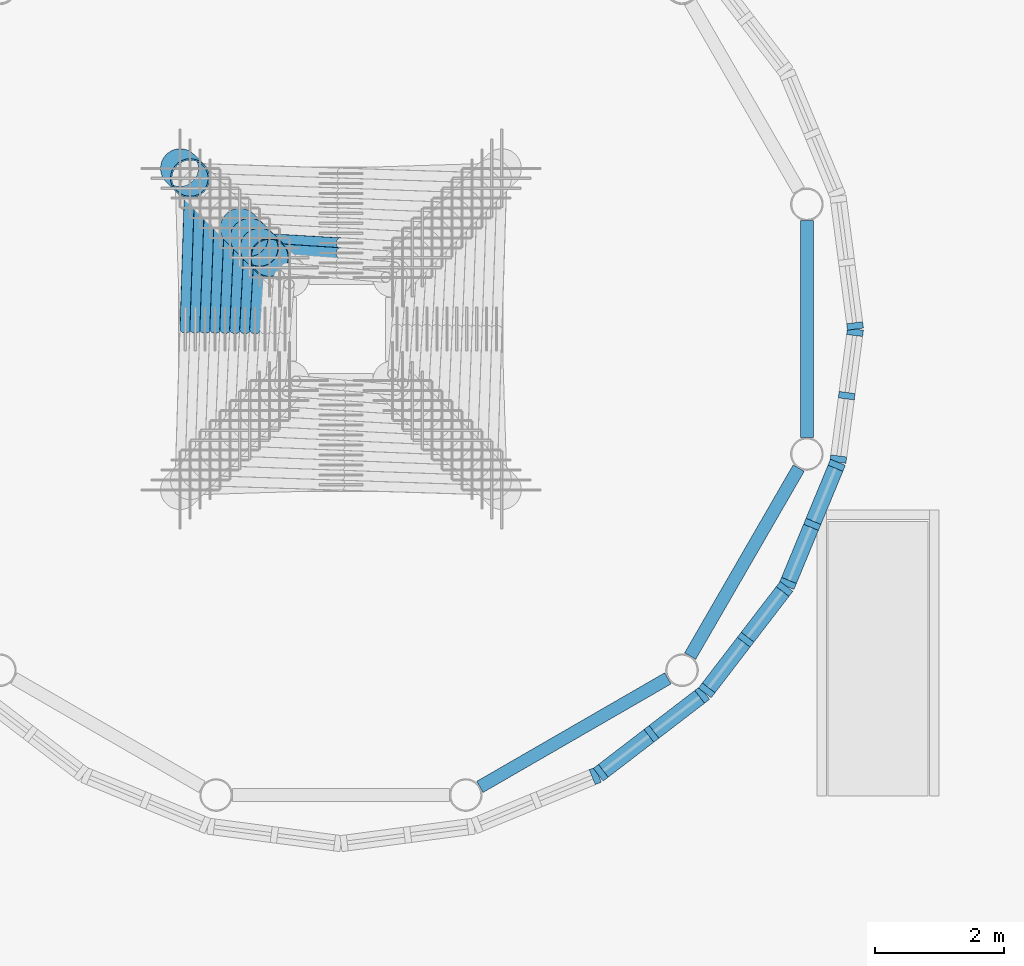
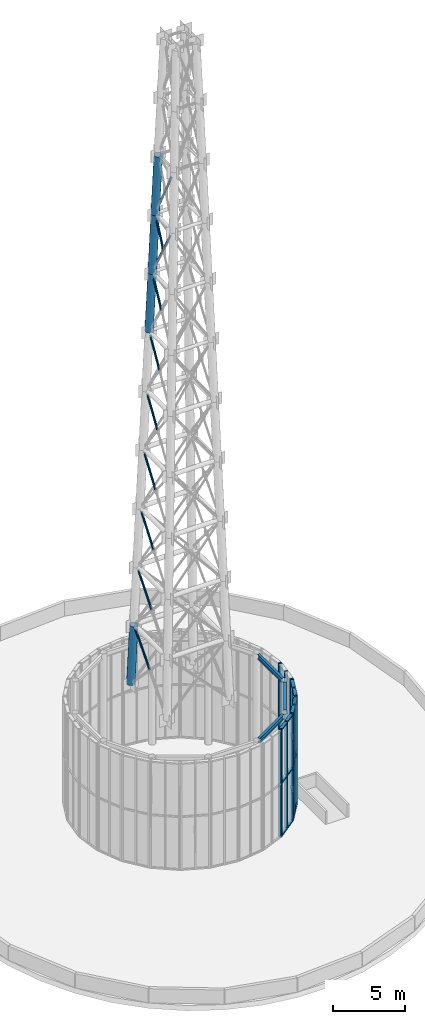
# One storey, part 5 of 11: 46 members, 3 beams, 6 elements without a shape of their own.
"""IFC4 building model written with IfcOpenShell, lengths in metres."""

from ifc_helpers import new_model, si_unit, direction, frame, origin, origin_2d, place, context, subcontext, project, spatial, rectangle, hollow_circle, i_section, extrude, material, material_profile, profile_set, type_object, element, aggregate, save


model = new_model("IFC4")

# Units and contexts
model_context = context("Model", 3, precision=1e-05, world=origin(), true_north=direction((0.0, 1.0)))
body_context = subcontext(model_context, "Body", "Model", "MODEL_VIEW")
ifc_project = project(units=[si_unit("LENGTHUNIT", "METRE"), si_unit("AREAUNIT", "SQUARE_METRE"), si_unit("VOLUMEUNIT", "CUBIC_METRE"), si_unit("PLANEANGLEUNIT", "RADIAN"), si_unit("MASSUNIT", "GRAM", prefix="KILO")], contexts=[model_context])

# Site, building, storey
site_placement = place(None, origin())
site = spatial("IfcSite", under=ifc_project, at=site_placement, CompositionType="ELEMENT")
building_placement = place(site_placement, origin())
building = spatial("IfcBuilding", under=site, at=building_placement, Name="Vermilion Reach Broadcast Tower", CompositionType="ELEMENT")
storey_placement = place(building_placement, frame((0.0, 0.0, 329.699951171875)))
storey = spatial("IfcBuildingStorey", under=building, at=storey_placement, Name="RF", CompositionType="ELEMENT", Elevation=329.699951171875)

# Beams
ifc_material_1 = material(Name="Steel S355J2", Category="steel")
ifc_material_profile_1 = material_profile(ifc_material_1, i_section(OverallWidth=0.199951171875, OverallDepth=0.39990234375, WebThickness=0.008056640625, FlangeThickness=0.012939453125, at=origin_2d()), Name="S355J2 HN 400x200x8x13")
ifc_profile_set_1 = profile_set([ifc_material_profile_1], Name="Steel S355J2")
beam_type = type_object("IfcBeamType", Name="DB1 HN 400x200x8x13", PredefinedType="BEAM", material=ifc_profile_set_1)
for number, where, z_axis, x_axis, name in (
    (1, (-3.8388671875, -7.117431640625, 8.85009765625), (0.866034971321, 0.499983428175, 0.0), (-0.499983428175, 0.866034971321, 0.0), "Plant drum ring beam DB1-10"),
    (2, (-0.569580078125, -5.083251953125, 8.85009765625), (0.499983428175, 0.866034971321, 0.0), (-0.866034971321, 0.499983428175, 0.0), "Plant drum ring beam DB1-11"),
):
    element("IfcBeam", number, at=place(storey_placement, frame(where, z_axis=z_axis, x_axis=x_axis)), inside=storey, type_object=beam_type, Name=name, PredefinedType="BEAM", context=body_context, shape_type="SweptSolid", body=[
        extrude(i_section(OverallWidth=0.199951171875, OverallDepth=0.39990234375, WebThickness=0.008056640625, FlangeThickness=0.012939453125, at=origin_2d()), origin(), (0.0, 0.0, 1.0), 3.3740234375),
    ])
beam_placement = place(storey_placement, frame((1.244384765625, -1.687255859375, 8.85009765625), z_axis=(0.0, 1.0, 0.0), x_axis=(-1.0, 0.0, 0.0)))
element("IfcBeam", 3, at=beam_placement, inside=storey, type_object=beam_type, Name="Plant drum ring beam DB1-12", PredefinedType="BEAM", context=body_context, shape_type="SweptSolid", body=[
    extrude(i_section(OverallWidth=0.199951171875, OverallDepth=0.39990234375, WebThickness=0.008056640625, FlangeThickness=0.012939453125, at=origin_2d()), origin(), (0.0, 0.0, 1.0), 3.37451171875),
])

# Curtain wall, member
ifc_material_2 = material(Name="Low-e laminated clear glass in aluminium frame", Category="aluminium")
curtain_wall_type = type_object("IfcCurtainWallType", Name="Drum louvre curtain wall", PredefinedType="NOTDEFINED", material=ifc_material_2)
placement = place(storey_placement, origin())
curtain_wall_1 = element("IfcCurtainWall", 4, at=placement, inside=storey, type_object=curtain_wall_type, Name="Drum louvre wall RF 01", PredefinedType="NOTDEFINED")
ifc_material_3 = material(Name="Anodised aluminium", Category="aluminium")
ifc_material_profile_2 = material_profile(ifc_material_3, rectangle(XDim=0.25, YDim=0.10009765625, at=origin_2d()), Name="Drum louvre mullion 100 x 250")
ifc_profile_set_2 = profile_set([ifc_material_profile_2], Name="Anodised aluminium")
member_type_1 = type_object("IfcMemberType", Name="Drum louvre mullion 100 x 250", PredefinedType="MULLION", material=ifc_profile_set_2)
member_1_placement = place(storey_placement, frame((1.993408203125, 0.049560546875, 0.0), z_axis=(0.0, 0.0, 1.0), x_axis=(-0.991444861374, -0.13052619222, 0.0)))
member_1 = element("IfcMember", 5, at=member_1_placement, type_object=member_type_1, Name="Drum louvre wall mullion RF 01.1", PredefinedType="MULLION", context=body_context, shape_type="SweptSolid", body=[
    extrude(rectangle(XDim=0.25, YDim=0.10009765625, at=origin_2d()), origin(), (0.0, 0.0, 1.0), 9.050048828125),
])
aggregate(curtain_wall_1, [member_1])

curtain_wall_2 = element("IfcCurtainWall", 6, at=placement, inside=storey, type_object=curtain_wall_type, Name="Drum louvre wall RF 20", PredefinedType="NOTDEFINED")
member_2_placement = place(storey_placement, frame((-2.046142578125, -6.947265625, 0.0), z_axis=(0.0, 0.0, 1.0), x_axis=(-0.382683432365, 0.923879532511, 0.0)))
member_2 = element("IfcMember", 7, at=member_2_placement, type_object=member_type_1, Name="Drum louvre wall mullion RF 20.3", PredefinedType="MULLION", context=body_context, shape_type="SweptSolid", body=[
    extrude(rectangle(XDim=0.25, YDim=0.10009765625, at=origin_2d()), origin(), (0.0, 0.0, 1.0), 9.050048828125),
])
aggregate(curtain_wall_2, [member_2])

# Curtain wall, members
curtain_wall_3 = element("IfcCurtainWall", 8, at=placement, inside=storey, type_object=curtain_wall_type, Name="Drum louvre wall RF 21", PredefinedType="NOTDEFINED")
member_3_placement = place(storey_placement, frame((-1.96044921875, -6.897705078125, 0.0), z_axis=(0.0, 0.0, 1.0), x_axis=(-0.608761429009, 0.793353340291, 0.0)))
member_3 = element("IfcMember", 9, at=member_3_placement, type_object=member_type_1, Name="Drum louvre wall mullion RF 21.1", PredefinedType="MULLION", context=body_context, shape_type="SweptSolid", body=[
    extrude(rectangle(XDim=0.25, YDim=0.10009765625, at=origin_2d()), origin(), (0.0, 0.0, 1.0), 9.050048828125),
])
member_4_placement = place(storey_placement, frame((-1.171630859375, -6.29248046875, 0.0), z_axis=(0.0, 0.0, 1.0), x_axis=(-0.608761429009, 0.793353340291, 0.0)))
member_4 = element("IfcMember", 10, at=member_4_placement, type_object=member_type_1, Name="Drum louvre wall mullion RF 21.2", PredefinedType="MULLION", context=body_context, shape_type="SweptSolid", body=[
    extrude(rectangle(XDim=0.25, YDim=0.10009765625, at=origin_2d()), origin(), (0.0, 0.0, 1.0), 9.050048828125),
])
member_5_placement = place(storey_placement, frame((-0.3828125, -5.687255859375, 0.0), z_axis=(0.0, 0.0, 1.0), x_axis=(-0.608761429009, 0.793353340291, 0.0)))
member_5 = element("IfcMember", 11, at=member_5_placement, type_object=member_type_1, Name="Drum louvre wall mullion RF 21.3", PredefinedType="MULLION", context=body_context, shape_type="SweptSolid", body=[
    extrude(rectangle(XDim=0.25, YDim=0.10009765625, at=origin_2d()), origin(), (0.0, 0.0, 1.0), 9.050048828125),
])

curtain_wall_4 = element("IfcCurtainWall", 12, at=placement, inside=storey, type_object=curtain_wall_type, Name="Drum louvre wall RF 22", PredefinedType="NOTDEFINED")
member_6_placement = place(storey_placement, frame((-0.312744140625, -5.6171875, 0.0), z_axis=(0.0, 0.0, 1.0), x_axis=(-0.793353340291, 0.608761429009, 0.0)))
member_6 = element("IfcMember", 13, at=member_6_placement, type_object=member_type_1, Name="Drum louvre wall mullion RF 22.1", PredefinedType="MULLION", context=body_context, shape_type="SweptSolid", body=[
    extrude(rectangle(XDim=0.25, YDim=0.10009765625, at=origin_2d()), origin(), (0.0, 0.0, 1.0), 9.050048828125),
])
member_7_placement = place(storey_placement, frame((0.29248046875, -4.828369140625, 0.0), z_axis=(0.0, 0.0, 1.0), x_axis=(-0.793353340291, 0.608761429009, 0.0)))
member_7 = element("IfcMember", 14, at=member_7_placement, type_object=member_type_1, Name="Drum louvre wall mullion RF 22.2", PredefinedType="MULLION", context=body_context, shape_type="SweptSolid", body=[
    extrude(rectangle(XDim=0.25, YDim=0.10009765625, at=origin_2d()), origin(), (0.0, 0.0, 1.0), 9.050048828125),
])
member_8_placement = place(storey_placement, frame((0.897705078125, -4.03955078125, 0.0), z_axis=(0.0, 0.0, 1.0), x_axis=(-0.793353340291, 0.608761429009, 0.0)))
member_8 = element("IfcMember", 15, at=member_8_placement, type_object=member_type_1, Name="Drum louvre wall mullion RF 22.3", PredefinedType="MULLION", context=body_context, shape_type="SweptSolid", body=[
    extrude(rectangle(XDim=0.25, YDim=0.10009765625, at=origin_2d()), origin(), (0.0, 0.0, 1.0), 9.050048828125),
])

curtain_wall_5 = element("IfcCurtainWall", 16, at=placement, inside=storey, type_object=curtain_wall_type, Name="Drum louvre wall RF 23", PredefinedType="NOTDEFINED")
member_9_placement = place(storey_placement, frame((0.947265625, -3.953857421875, 0.0), z_axis=(0.0, 0.0, 1.0), x_axis=(-0.923879532511, 0.382683432365, 0.0)))
member_9 = element("IfcMember", 17, at=member_9_placement, type_object=member_type_1, Name="Drum louvre wall mullion RF 23.1", PredefinedType="MULLION", context=body_context, shape_type="SweptSolid", body=[
    extrude(rectangle(XDim=0.25, YDim=0.10009765625, at=origin_2d()), origin(), (0.0, 0.0, 1.0), 9.050048828125),
])
member_10_placement = place(storey_placement, frame((1.327880859375, -3.03515625, 0.0), z_axis=(0.0, 0.0, 1.0), x_axis=(-0.923879532511, 0.382683432365, 0.0)))
member_10 = element("IfcMember", 18, at=member_10_placement, type_object=member_type_1, Name="Drum louvre wall mullion RF 23.2", PredefinedType="MULLION", context=body_context, shape_type="SweptSolid", body=[
    extrude(rectangle(XDim=0.25, YDim=0.10009765625, at=origin_2d()), origin(), (0.0, 0.0, 1.0), 9.050048828125),
])
member_11_placement = place(storey_placement, frame((1.708251953125, -2.11669921875, 0.0), z_axis=(0.0, 0.0, 1.0), x_axis=(-0.923879532511, 0.382683432365, 0.0)))
member_11 = element("IfcMember", 19, at=member_11_placement, type_object=member_type_1, Name="Drum louvre wall mullion RF 23.3", PredefinedType="MULLION", context=body_context, shape_type="SweptSolid", body=[
    extrude(rectangle(XDim=0.25, YDim=0.10009765625, at=origin_2d()), origin(), (0.0, 0.0, 1.0), 9.050048828125),
])

curtain_wall_6 = element("IfcCurtainWall", 20, at=placement, inside=storey, type_object=curtain_wall_type, Name="Drum louvre wall RF 24", PredefinedType="NOTDEFINED")
member_12_placement = place(storey_placement, frame((1.73388671875, -2.02099609375, 0.0), z_axis=(0.0, 0.0, 1.0), x_axis=(-0.991444861374, 0.13052619222, 0.0)))
member_12 = element("IfcMember", 21, at=member_12_placement, type_object=member_type_1, Name="Drum louvre wall mullion RF 24.1", PredefinedType="MULLION", context=body_context, shape_type="SweptSolid", body=[
    extrude(rectangle(XDim=0.25, YDim=0.10009765625, at=origin_2d()), origin(), (0.0, 0.0, 1.0), 9.050048828125),
])
member_13_placement = place(storey_placement, frame((1.86376953125, -1.03515625, 0.0), z_axis=(0.0, 0.0, 1.0), x_axis=(-0.991444861374, 0.13052619222, 0.0)))
member_13 = element("IfcMember", 22, at=member_13_placement, type_object=member_type_1, Name="Drum louvre wall mullion RF 24.2", PredefinedType="MULLION", context=body_context, shape_type="SweptSolid", body=[
    extrude(rectangle(XDim=0.25, YDim=0.10009765625, at=origin_2d()), origin(), (0.0, 0.0, 1.0), 9.050048828125),
])
member_14_placement = place(storey_placement, frame((1.993408203125, -0.049560546875, 0.0), z_axis=(0.0, 0.0, 1.0), x_axis=(-0.991444861374, 0.13052619222, 0.0)))
member_14 = element("IfcMember", 23, at=member_14_placement, type_object=member_type_1, Name="Drum louvre wall mullion RF 24.3", PredefinedType="MULLION", context=body_context, shape_type="SweptSolid", body=[
    extrude(rectangle(XDim=0.25, YDim=0.10009765625, at=origin_2d()), origin(), (0.0, 0.0, 1.0), 9.050048828125),
])
aggregate(curtain_wall_6, [member_12, member_13, member_14])

# Member
ifc_material_4 = material(Name="Anodised aluminium", Category="aluminium")
ifc_material_profile_3 = material_profile(ifc_material_4, rectangle(XDim=0.25, YDim=0.10009765625, at=origin_2d()), Name="Drum louvre transom 250 x 100")
ifc_profile_set_3 = profile_set([ifc_material_profile_3], Name="Anodised aluminium")
member_type_2 = type_object("IfcMemberType", Name="Drum louvre transom 250 x 100", PredefinedType="USERDEFINED", material=ifc_profile_set_3)
member_15_placement = place(storey_placement, frame((-1.920654296875, -6.867431640625, 0.050048828125), z_axis=(0.793333856292, 0.60878682021, 0.0), x_axis=(-0.60878682021, 0.793333856292, 0.0)))
member_15 = element("IfcMember", 24, at=member_15_placement, type_object=member_type_2, Name="Drum louvre wall transom RF 21.1.1", ObjectType="TRANSOM", PredefinedType="USERDEFINED", context=body_context, shape_type="SweptSolid", body=[
    extrude(rectangle(XDim=0.25, YDim=0.10009765625, at=origin_2d()), origin(), (0.0, 0.0, 1.0), 0.894287109375),
])

member_16_placement = place(storey_placement, frame((-1.920654296875, -6.867431640625, 4.5), z_axis=(0.793333856292, 0.60878682021, 0.0), x_axis=(-0.60878682021, 0.793333856292, 0.0)))
member_16 = element("IfcMember", 25, at=member_16_placement, type_object=member_type_2, Name="Drum louvre wall transom RF 21.1.2", ObjectType="TRANSOM", PredefinedType="USERDEFINED", context=body_context, shape_type="SweptSolid", body=[
    extrude(rectangle(XDim=0.25, YDim=0.10009765625, at=origin_2d()), origin(), (0.0, 0.0, 1.0), 0.894287109375),
])

member_17_placement = place(storey_placement, frame((-1.920654296875, -6.867431640625, 9.0), z_axis=(0.793333856292, 0.60878682021, 0.0), x_axis=(-0.60878682021, 0.793333856292, 0.0)))
member_17 = element("IfcMember", 26, at=member_17_placement, type_object=member_type_2, Name="Drum louvre wall transom RF 21.1.3", ObjectType="TRANSOM", PredefinedType="USERDEFINED", context=body_context, shape_type="SweptSolid", body=[
    extrude(rectangle(XDim=0.25, YDim=0.10009765625, at=origin_2d()), origin(), (0.0, 0.0, 1.0), 0.894287109375),
])

member_18_placement = place(storey_placement, frame((-1.1318359375, -6.26220703125, 0.050048828125), z_axis=(0.793333856292, 0.60878682021, 0.0), x_axis=(-0.60878682021, 0.793333856292, 0.0)))
member_18 = element("IfcMember", 27, at=member_18_placement, type_object=member_type_2, Name="Drum louvre wall transom RF 21.2.1", ObjectType="TRANSOM", PredefinedType="USERDEFINED", context=body_context, shape_type="SweptSolid", body=[
    extrude(rectangle(XDim=0.25, YDim=0.10009765625, at=origin_2d()), origin(), (0.0, 0.0, 1.0), 0.894287109375),
])

member_19_placement = place(storey_placement, frame((-1.1318359375, -6.26220703125, 4.5), z_axis=(0.793333856292, 0.60878682021, 0.0), x_axis=(-0.60878682021, 0.793333856292, 0.0)))
member_19 = element("IfcMember", 28, at=member_19_placement, type_object=member_type_2, Name="Drum louvre wall transom RF 21.2.2", ObjectType="TRANSOM", PredefinedType="USERDEFINED", context=body_context, shape_type="SweptSolid", body=[
    extrude(rectangle(XDim=0.25, YDim=0.10009765625, at=origin_2d()), origin(), (0.0, 0.0, 1.0), 0.894287109375),
])

member_20_placement = place(storey_placement, frame((-1.1318359375, -6.26220703125, 9.0), z_axis=(0.793333856292, 0.60878682021, 0.0), x_axis=(-0.60878682021, 0.793333856292, 0.0)))
member_20 = element("IfcMember", 29, at=member_20_placement, type_object=member_type_2, Name="Drum louvre wall transom RF 21.2.3", ObjectType="TRANSOM", PredefinedType="USERDEFINED", context=body_context, shape_type="SweptSolid", body=[
    extrude(rectangle(XDim=0.25, YDim=0.10009765625, at=origin_2d()), origin(), (0.0, 0.0, 1.0), 0.894287109375),
])

aggregate(curtain_wall_3, [member_3, member_4, member_5, member_15, member_16, member_17, member_18, member_19, member_20])

member_21_placement = place(storey_placement, frame((-0.2822265625, -5.57763671875, 0.050048828125), z_axis=(0.60878682021, 0.793333856292, 0.0), x_axis=(-0.793333856292, 0.60878682021, 0.0)))
member_21 = element("IfcMember", 30, at=member_21_placement, type_object=member_type_2, Name="Drum louvre wall transom RF 22.1.1", ObjectType="TRANSOM", PredefinedType="USERDEFINED", context=body_context, shape_type="SweptSolid", body=[
    extrude(rectangle(XDim=0.25, YDim=0.10009765625, at=origin_2d()), origin(), (0.0, 0.0, 1.0), 0.894287109375),
])

member_22_placement = place(storey_placement, frame((-0.2822265625, -5.57763671875, 4.5), z_axis=(0.60878682021, 0.793333856292, 0.0), x_axis=(-0.793333856292, 0.60878682021, 0.0)))
member_22 = element("IfcMember", 31, at=member_22_placement, type_object=member_type_2, Name="Drum louvre wall transom RF 22.1.2", ObjectType="TRANSOM", PredefinedType="USERDEFINED", context=body_context, shape_type="SweptSolid", body=[
    extrude(rectangle(XDim=0.25, YDim=0.10009765625, at=origin_2d()), origin(), (0.0, 0.0, 1.0), 0.894287109375),
])

member_23_placement = place(storey_placement, frame((-0.2822265625, -5.57763671875, 9.0), z_axis=(0.60878682021, 0.793333856292, 0.0), x_axis=(-0.793333856292, 0.60878682021, 0.0)))
member_23 = element("IfcMember", 32, at=member_23_placement, type_object=member_type_2, Name="Drum louvre wall transom RF 22.1.3", ObjectType="TRANSOM", PredefinedType="USERDEFINED", context=body_context, shape_type="SweptSolid", body=[
    extrude(rectangle(XDim=0.25, YDim=0.10009765625, at=origin_2d()), origin(), (0.0, 0.0, 1.0), 0.894287109375),
])

member_24_placement = place(storey_placement, frame((0.322998046875, -4.788818359375, 0.050048828125), z_axis=(0.60878682021, 0.793333856292, 0.0), x_axis=(-0.793333856292, 0.60878682021, 0.0)))
member_24 = element("IfcMember", 33, at=member_24_placement, type_object=member_type_2, Name="Drum louvre wall transom RF 22.2.1", ObjectType="TRANSOM", PredefinedType="USERDEFINED", context=body_context, shape_type="SweptSolid", body=[
    extrude(rectangle(XDim=0.25, YDim=0.10009765625, at=origin_2d()), origin(), (0.0, 0.0, 1.0), 0.894287109375),
])

member_25_placement = place(storey_placement, frame((0.322998046875, -4.788818359375, 4.5), z_axis=(0.60878682021, 0.793333856292, 0.0), x_axis=(-0.793333856292, 0.60878682021, 0.0)))
member_25 = element("IfcMember", 34, at=member_25_placement, type_object=member_type_2, Name="Drum louvre wall transom RF 22.2.2", ObjectType="TRANSOM", PredefinedType="USERDEFINED", context=body_context, shape_type="SweptSolid", body=[
    extrude(rectangle(XDim=0.25, YDim=0.10009765625, at=origin_2d()), origin(), (0.0, 0.0, 1.0), 0.894287109375),
])

member_26_placement = place(storey_placement, frame((0.322998046875, -4.788818359375, 9.0), z_axis=(0.60878682021, 0.793333856292, 0.0), x_axis=(-0.793333856292, 0.60878682021, 0.0)))
member_26 = element("IfcMember", 35, at=member_26_placement, type_object=member_type_2, Name="Drum louvre wall transom RF 22.2.3", ObjectType="TRANSOM", PredefinedType="USERDEFINED", context=body_context, shape_type="SweptSolid", body=[
    extrude(rectangle(XDim=0.25, YDim=0.10009765625, at=origin_2d()), origin(), (0.0, 0.0, 1.0), 0.894287109375),
])

aggregate(curtain_wall_4, [member_6, member_7, member_8, member_21, member_22, member_23, member_24, member_25, member_26])

member_27_placement = place(storey_placement, frame((0.966552734375, -3.90771484375, 0.050048828125), z_axis=(0.382520596183, 0.923946964655, 0.0), x_axis=(-0.923946964655, 0.382520596183, 0.0)))
member_27 = element("IfcMember", 36, at=member_27_placement, type_object=member_type_2, Name="Drum louvre wall transom RF 23.1.1", ObjectType="TRANSOM", PredefinedType="USERDEFINED", context=body_context, shape_type="SweptSolid", body=[
    extrude(rectangle(XDim=0.25, YDim=0.10009765625, at=origin_2d()), origin(), (0.0, 0.0, 1.0), 0.894287109375),
])

member_28_placement = place(storey_placement, frame((0.966552734375, -3.90771484375, 4.5), z_axis=(0.382520596183, 0.923946964655, 0.0), x_axis=(-0.923946964655, 0.382520596183, 0.0)))
member_28 = element("IfcMember", 37, at=member_28_placement, type_object=member_type_2, Name="Drum louvre wall transom RF 23.1.2", ObjectType="TRANSOM", PredefinedType="USERDEFINED", context=body_context, shape_type="SweptSolid", body=[
    extrude(rectangle(XDim=0.25, YDim=0.10009765625, at=origin_2d()), origin(), (0.0, 0.0, 1.0), 0.894287109375),
])

member_29_placement = place(storey_placement, frame((0.966552734375, -3.90771484375, 9.0), z_axis=(0.382520596183, 0.923946964655, 0.0), x_axis=(-0.923946964655, 0.382520596183, 0.0)))
member_29 = element("IfcMember", 38, at=member_29_placement, type_object=member_type_2, Name="Drum louvre wall transom RF 23.1.3", ObjectType="TRANSOM", PredefinedType="USERDEFINED", context=body_context, shape_type="SweptSolid", body=[
    extrude(rectangle(XDim=0.25, YDim=0.10009765625, at=origin_2d()), origin(), (0.0, 0.0, 1.0), 0.894287109375),
])

member_30_placement = place(storey_placement, frame((1.346923828125, -2.989013671875, 0.050048828125), z_axis=(0.382753642759, 0.923850447288, 0.0), x_axis=(-0.923850447288, 0.382753642759, 0.0)))
member_30 = element("IfcMember", 39, at=member_30_placement, type_object=member_type_2, Name="Drum louvre wall transom RF 23.2.1", ObjectType="TRANSOM", PredefinedType="USERDEFINED", context=body_context, shape_type="SweptSolid", body=[
    extrude(rectangle(XDim=0.25, YDim=0.10009765625, at=origin_2d()), origin(), (0.0, 0.0, 1.0), 0.894287109375),
])

member_31_placement = place(storey_placement, frame((1.346923828125, -2.989013671875, 4.5), z_axis=(0.382753642759, 0.923850447288, 0.0), x_axis=(-0.923850447288, 0.382753642759, 0.0)))
member_31 = element("IfcMember", 40, at=member_31_placement, type_object=member_type_2, Name="Drum louvre wall transom RF 23.2.2", ObjectType="TRANSOM", PredefinedType="USERDEFINED", context=body_context, shape_type="SweptSolid", body=[
    extrude(rectangle(XDim=0.25, YDim=0.10009765625, at=origin_2d()), origin(), (0.0, 0.0, 1.0), 0.894287109375),
])

member_32_placement = place(storey_placement, frame((1.346923828125, -2.989013671875, 9.0), z_axis=(0.382753642759, 0.923850447288, 0.0), x_axis=(-0.923850447288, 0.382753642759, 0.0)))
member_32 = element("IfcMember", 41, at=member_32_placement, type_object=member_type_2, Name="Drum louvre wall transom RF 23.2.3", ObjectType="TRANSOM", PredefinedType="USERDEFINED", context=body_context, shape_type="SweptSolid", body=[
    extrude(rectangle(XDim=0.25, YDim=0.10009765625, at=origin_2d()), origin(), (0.0, 0.0, 1.0), 0.894287109375),
])

aggregate(curtain_wall_5, [member_9, member_10, member_11, member_27, member_28, member_29, member_30, member_31, member_32])

# Members
ifc_material_5 = material(Name="Steel S355J2H", Category="steel")
ifc_material_profile_4 = material_profile(ifc_material_5, hollow_circle(Radius=0.084228515625, WallThickness=0.008056640625, at=origin_2d()), Name="S355J2H CHS 168x8")
ifc_profile_set_4 = profile_set([ifc_material_profile_4], Name="Steel S355J2H")
member_type_3 = type_object("IfcMemberType", Name="MBR CHS 168x8", PredefinedType="BRACE", material=ifc_profile_set_4)
member_33_placement = place(storey_placement, frame((-8.420166015625, 0.0, 12.079833984375), z_axis=(0.022136242917, 0.695778743189, 0.717914986106), x_axis=(-0.999494284838, 0.031798971296, 0.0)))
element("IfcMember", 42, at=member_33_placement, inside=storey, type_object=member_type_3, Name="Mast brace panel 1", PredefinedType="BRACE", context=body_context, shape_type="SweptSolid", body=[
    extrude(hollow_circle(Radius=0.084228515625, WallThickness=0.008056640625, at=origin_2d()), origin(), (0.0, 0.0, 1.0), 3.066162109375),
])
member_34_placement = place(storey_placement, frame((-8.265625, 0.0, 17.085205078125), z_axis=(0.022874281268, 0.671777177322, 0.740400021127), x_axis=(-0.999420788764, 0.034030677134, 0.0)))
element("IfcMember", 43, at=member_34_placement, inside=storey, type_object=member_type_3, Name="Mast brace panel 2", PredefinedType="BRACE", context=body_context, shape_type="SweptSolid", body=[
    extrude(hollow_circle(Radius=0.084228515625, WallThickness=0.008056640625, at=origin_2d()), origin(), (0.0, 0.0, 1.0), 2.95654296875),
])
member_35_placement = place(storey_placement, frame((-8.11083984375, 0.0, 22.091552734375), z_axis=(0.023644360041, 0.645508162712, 0.763387291033), x_axis=(-0.999329830116, 0.03660451667, 0.0)))
element("IfcMember", 44, at=member_35_placement, inside=storey, type_object=member_type_3, Name="Mast brace panel 3", PredefinedType="BRACE", context=body_context, shape_type="SweptSolid", body=[
    extrude(hollow_circle(Radius=0.084228515625, WallThickness=0.008056640625, at=origin_2d()), origin(), (0.0, 0.0, 1.0), 2.849853515625),
])
member_36_placement = place(storey_placement, frame((-7.9560546875, 0.0, 27.0986328125), z_axis=(0.024353243827, 0.616652575441, 0.786858640873), x_axis=(-0.99922107636, 0.03946188742, 0.0)))
element("IfcMember", 45, at=member_36_placement, inside=storey, type_object=member_type_3, Name="Mast brace panel 4", PredefinedType="BRACE", context=body_context, shape_type="SweptSolid", body=[
    extrude(hollow_circle(Radius=0.084228515625, WallThickness=0.008056640625, at=origin_2d()), origin(), (0.0, 0.0, 1.0), 2.746826171875),
])
member_37_placement = place(storey_placement, frame((-7.80126953125, 0.0, 32.107177734375), z_axis=(0.025085714748, 0.585087405747, 0.810582157805), x_axis=(-0.999082125717, 0.042835803625, 0.0)))
element("IfcMember", 46, at=member_37_placement, inside=storey, type_object=member_type_3, Name="Mast brace panel 5", PredefinedType="BRACE", context=body_context, shape_type="SweptSolid", body=[
    extrude(hollow_circle(Radius=0.084228515625, WallThickness=0.008056640625, at=origin_2d()), origin(), (0.0, 0.0, 1.0), 2.647216796875),
])
member_38_placement = place(storey_placement, frame((-7.646484375, 0.0, 37.1171875), z_axis=(0.025839398173, 0.550666285519, 0.834325456579), x_axis=(-0.998900889513, 0.046872304513, 0.0)))
element("IfcMember", 47, at=member_38_placement, inside=storey, type_object=member_type_3, Name="Mast brace panel 6", PredefinedType="BRACE", context=body_context, shape_type="SweptSolid", body=[
    extrude(hollow_circle(Radius=0.084228515625, WallThickness=0.008056640625, at=origin_2d()), origin(), (0.0, 0.0, 1.0), 2.551025390625),
])
member_39_placement = place(storey_placement, frame((-7.491455078125, 0.0, 42.129150390625), z_axis=(0.026513492734, 0.513190001673, 0.857865407209), x_axis=(-0.998668076836, 0.051595274093, 0.0)))
element("IfcMember", 48, at=member_39_placement, inside=storey, type_object=member_type_3, Name="Mast brace panel 7", PredefinedType="BRACE", context=body_context, shape_type="SweptSolid", body=[
    extrude(hollow_circle(Radius=0.084228515625, WallThickness=0.008056640625, at=origin_2d()), origin(), (0.0, 0.0, 1.0), 2.45849609375),
])
member_40_placement = place(storey_placement, frame((-7.274169921875, 1.409912109375, 44.768798828125), z_axis=(0.472540913647, -0.027253269785, 0.880887248299), x_axis=(0.057578202863, 0.998340999136, 0.0)))
element("IfcMember", 49, at=member_40_placement, inside=storey, type_object=member_type_3, Name="Mast brace panel 8", PredefinedType="BRACE", context=body_context, shape_type="SweptSolid", body=[
    extrude(hollow_circle(Radius=0.084228515625, WallThickness=0.008056640625, at=origin_2d()), origin(), (0.0, 0.0, 1.0), 2.696533203125),
])
member_41_placement = place(storey_placement, frame((-7.33642578125, 0.0, 47.14404296875), z_axis=(0.027200080882, 0.472498374716, 0.880911710384), x_axis=(-0.998347155541, 0.057471358278, 0.0)))
element("IfcMember", 50, at=member_41_placement, inside=storey, type_object=member_type_3, Name="Mast brace panel 8", PredefinedType="BRACE", context=body_context, shape_type="SweptSolid", body=[
    extrude(hollow_circle(Radius=0.084228515625, WallThickness=0.008056640625, at=origin_2d()), origin(), (0.0, 0.0, 1.0), 2.36962890625),
])
member_42_placement = place(storey_placement, frame((-7.1328125, 1.255126953125, 49.775390625), z_axis=(0.428511234295, -0.027890170853, 0.903105896588), x_axis=(0.064948783797, 0.997888598734, 0.0)))
element("IfcMember", 51, at=member_42_placement, inside=storey, type_object=member_type_3, Name="Mast brace panel 9", PredefinedType="BRACE", context=body_context, shape_type="SweptSolid", body=[
    extrude(hollow_circle(Radius=0.084228515625, WallThickness=0.008056640625, at=origin_2d()), origin(), (0.0, 0.0, 1.0), 2.6435546875),
])
ifc_material_6 = material(Name="Steel S355J2H", Category="steel")
ifc_material_profile_5 = material_profile(ifc_material_6, hollow_circle(Radius=0.304931640625, WallThickness=0.02490234375, at=origin_2d()), Name="S355J2H CHS 610x25")
ifc_profile_set_5 = profile_set([ifc_material_profile_5], Name="Steel S355J2H")
member_type_4 = type_object("IfcMemberType", Name="MLG1 CHS 610x25", PredefinedType="POST", material=ifc_profile_set_5)
member_43_placement = place(storey_placement, frame((-8.5, 2.5, 9.5), z_axis=(0.030878718237, -0.030878718237, 0.99904604975), x_axis=(0.707106781187, 0.707106781187, 0.0)))
element("IfcMember", 52, at=member_43_placement, inside=storey, type_object=member_type_4, Name="Mast leg L4 panel 1", PredefinedType="POST", context=body_context, shape_type="SweptSolid", body=[
    extrude(hollow_circle(Radius=0.304931640625, WallThickness=0.02490234375, at=origin_2d()), origin(), (0.0, 0.0, 1.0), 5.0048828125),
])
ifc_material_7 = material(Name="Steel S355J2H", Category="steel")
ifc_material_profile_6 = material_profile(ifc_material_7, hollow_circle(Radius=0.304931640625, WallThickness=0.02001953125, at=origin_2d()), Name="S355J2H CHS 610x20")
ifc_profile_set_6 = profile_set([ifc_material_profile_6], Name="Steel S355J2H")
member_type_5 = type_object("IfcMemberType", Name="MLG2 CHS 610x20", PredefinedType="POST", material=ifc_profile_set_6)
for number, where, z_axis, x_axis, name in (
    (53, (-7.57275390625, 1.57275390625, 39.5), (0.030878718237, -0.030878718237, 0.99904604975), (0.707106781187, 0.707106781187, 0.0), "Mast leg L4 panel 7"),
    (54, (-7.418212890625, 1.418212890625, 44.5), (0.030878718237, -0.030878718237, 0.99904604975), (0.707106781187, 0.707106781187, 0.0), "Mast leg L4 panel 8"),
):
    element("IfcMember", number, at=place(storey_placement, frame(where, z_axis=z_axis, x_axis=x_axis)), inside=storey, type_object=member_type_5, Name=name, PredefinedType="POST", context=body_context, shape_type="SweptSolid", body=[
        extrude(hollow_circle(Radius=0.304931640625, WallThickness=0.02001953125, at=origin_2d()), origin(), (0.0, 0.0, 1.0), 5.0048828125),
    ])
ifc_material_8 = material(Name="Steel S355J2H", Category="steel")
ifc_material_profile_7 = material_profile(ifc_material_8, hollow_circle(Radius=0.304931640625, WallThickness=0.01611328125, at=origin_2d()), Name="S355J2H CHS 610x16")
ifc_profile_set_7 = profile_set([ifc_material_profile_7], Name="Steel S355J2H")
member_type_6 = type_object("IfcMemberType", Name="MLG3 CHS 610x16", PredefinedType="POST", material=ifc_profile_set_7)
member_44_placement = place(storey_placement, frame((-7.263671875, 1.263671875, 49.5), z_axis=(0.030878718237, -0.030878718237, 0.99904604975), x_axis=(0.707106781187, 0.707106781187, 0.0)))
element("IfcMember", 55, at=member_44_placement, inside=storey, type_object=member_type_6, Name="Mast leg L4 panel 9", PredefinedType="POST", context=body_context, shape_type="SweptSolid", body=[
    extrude(hollow_circle(Radius=0.304931640625, WallThickness=0.01611328125, at=origin_2d()), origin(), (0.0, 0.0, 1.0), 5.0048828125),
])

save(model, "model.ifc")
